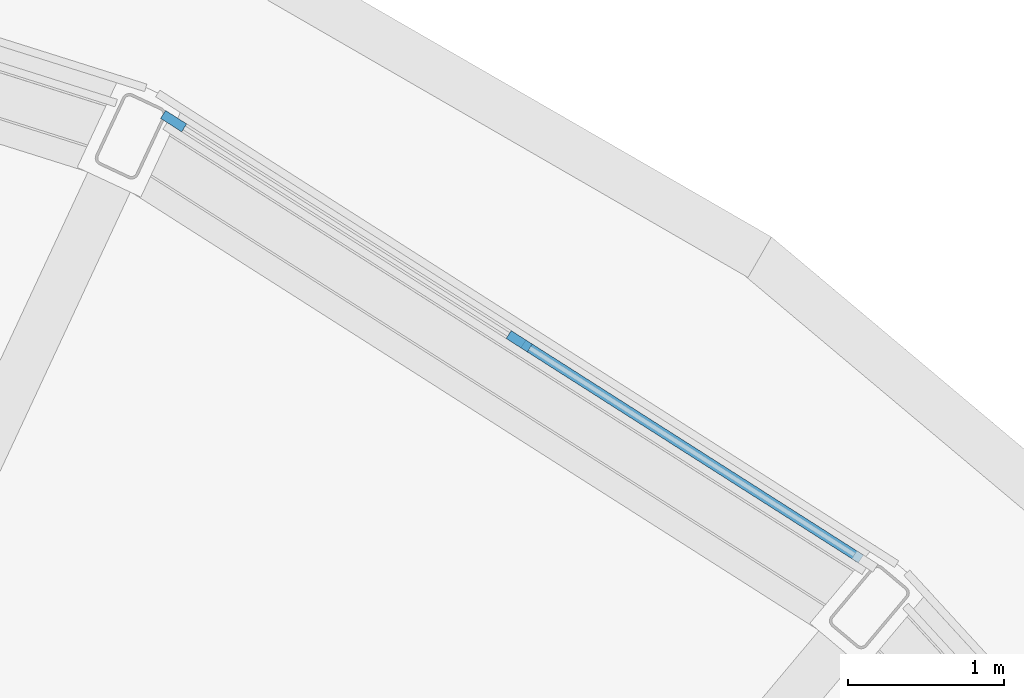
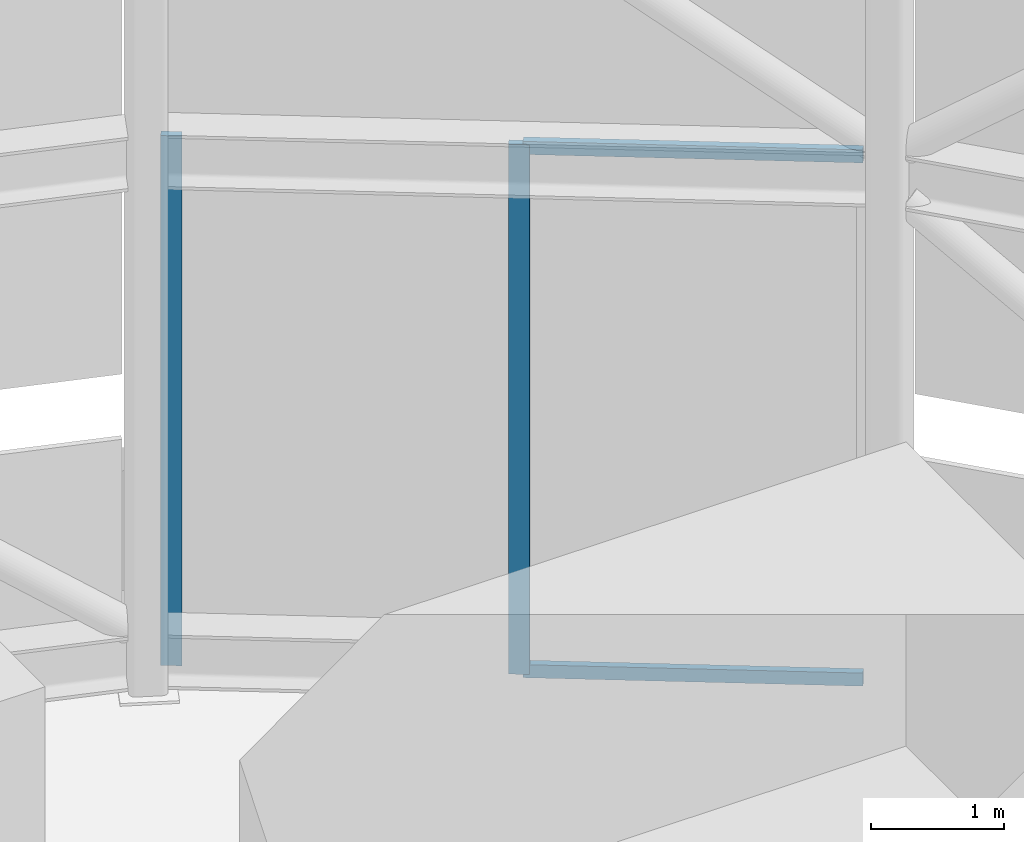
# One storey, part 12 of 20: 4 members, 1 element without a shape of its own.
"""IFC4 building model written with IfcOpenShell, lengths in metres."""

from ifc_helpers import new_model, si_unit, direction, frame, origin, origin_2d, place, context, subcontext, project, spatial, rectangle, extrude, material, layer, layer_set, material_profile, profile_set, type_object, element, aggregate, save


model = new_model("IFC4")

# Units and contexts
model_context = context("Model", 3, precision=1e-05, world=origin(), true_north=direction((0.0, 1.0)))
body_context = subcontext(model_context, "Body", "Model", "MODEL_VIEW")
ifc_project = project(units=[si_unit("LENGTHUNIT", "METRE"), si_unit("AREAUNIT", "SQUARE_METRE"), si_unit("VOLUMEUNIT", "CUBIC_METRE"), si_unit("PLANEANGLEUNIT", "RADIAN"), si_unit("MASSUNIT", "GRAM", prefix="KILO")], contexts=[model_context])

# Site, building, storey
site_placement = place(None, origin())
site = spatial("IfcSite", under=ifc_project, at=site_placement, CompositionType="ELEMENT")
building_placement = place(site_placement, origin())
building = spatial("IfcBuilding", under=site, at=building_placement, Name="Saqina Gate Tower", CompositionType="ELEMENT")
storey_placement = place(building_placement, frame((0.0, 0.0, 284.199951171875)))
storey = spatial("IfcBuildingStorey", under=building, at=storey_placement, Name="RF", CompositionType="ELEMENT", Elevation=284.199951171875)

# Curtain wall, members
ifc_material_1 = material(Name="Aluminium glazing", Category="aluminium")
ifc_layer = layer(ifc_material_1, 0.159912109375)
ifc_layer_set = layer_set([ifc_layer], Name="CWT-5")
curtain_wall_type = type_object("IfcCurtainWallType", Name="CWT-5", PredefinedType="NOTDEFINED", material=ifc_layer_set)
curtain_wall_placement = place(storey_placement, origin())
curtain_wall = element("IfcCurtainWall", 1, at=curtain_wall_placement, inside=storey, type_object=curtain_wall_type, Name="Crown glazing bay 4", PredefinedType="NOTDEFINED")
ifc_material_2 = material(Name="Aluminium", Category="aluminium")
ifc_material_profile_1 = material_profile(ifc_material_2, rectangle(XDim=0.06005859375, YDim=0.159912109375, at=origin_2d()), Name="Aluminium 60x160")
ifc_profile_set_1 = profile_set([ifc_material_profile_1], Name="Aluminium")
member_type_1 = type_object("IfcMemberType", Name="CWT-5M", PredefinedType="MULLION", material=ifc_profile_set_1)
member_1_placement = place(storey_placement, frame((11.57666015625, 18.171875, 0.0), z_axis=(0.0, 0.0, 1.0), x_axis=(-0.537294559068, -0.843394662537, 0.0)))
member_1 = element("IfcMember", 2, at=member_1_placement, type_object=member_type_1, Name="CW5-04 mullion 2", PredefinedType="MULLION", context=body_context, shape_type="SweptSolid", body=[
    extrude(rectangle(XDim=0.06005859375, YDim=0.159912109375, at=origin_2d()), origin(), (0.0, 0.0, 1.0), 4.875),
])
member_2_placement = place(storey_placement, frame((9.362548828125, 19.582275390625, 0.0), z_axis=(0.0, 0.0, 1.0), x_axis=(-0.537294559068, -0.843394662537, 0.0)))
member_2 = element("IfcMember", 3, at=member_2_placement, type_object=member_type_1, Name="CW5-04 mullion 3", PredefinedType="MULLION", context=body_context, shape_type="SweptSolid", body=[
    extrude(rectangle(XDim=0.06005859375, YDim=0.159912109375, at=origin_2d()), origin(), (0.0, 0.0, 1.0), 4.875),
])
ifc_material_3 = material(Name="Aluminium", Category="aluminium")
ifc_material_profile_2 = material_profile(ifc_material_3, rectangle(XDim=0.06005859375, YDim=0.1201171875, at=origin_2d()), Name="Aluminium 60x120")
ifc_profile_set_2 = profile_set([ifc_material_profile_2], Name="Aluminium")
member_type_2 = type_object("IfcMemberType", Name="CWT-5T", PredefinedType="USERDEFINED", material=ifc_profile_set_2)
member_3_placement = place(storey_placement, frame((13.765625, 16.77734375, 0.030029296875), z_axis=(-0.843379225963, 0.537318789188, 0.0), x_axis=(-0.537318789188, -0.843379225963, 0.0)))
member_3 = element("IfcMember", 4, at=member_3_placement, type_object=member_type_2, Name="CW5-04 transom 1.1", ObjectType="TRANSOM", PredefinedType="USERDEFINED", context=body_context, shape_type="SweptSolid", body=[
    extrude(rectangle(XDim=0.06005859375, YDim=0.1201171875, at=origin_2d()), origin(), (0.0, 0.0, 1.0), 2.5654296875),
])
member_4_placement = place(storey_placement, frame((13.765625, 16.77734375, 4.844970703125), z_axis=(-0.843379225963, 0.537318789188, 0.0), x_axis=(-0.537318789188, -0.843379225963, 0.0)))
member_4 = element("IfcMember", 5, at=member_4_placement, type_object=member_type_2, Name="CW5-04 transom 1.2", ObjectType="TRANSOM", PredefinedType="USERDEFINED", context=body_context, shape_type="SweptSolid", body=[
    extrude(rectangle(XDim=0.06005859375, YDim=0.1201171875, at=origin_2d()), origin(), (0.0, 0.0, 1.0), 2.5654296875),
])
aggregate(curtain_wall, [member_1, member_2, member_3, member_4])

save(model, "model.ifc")
